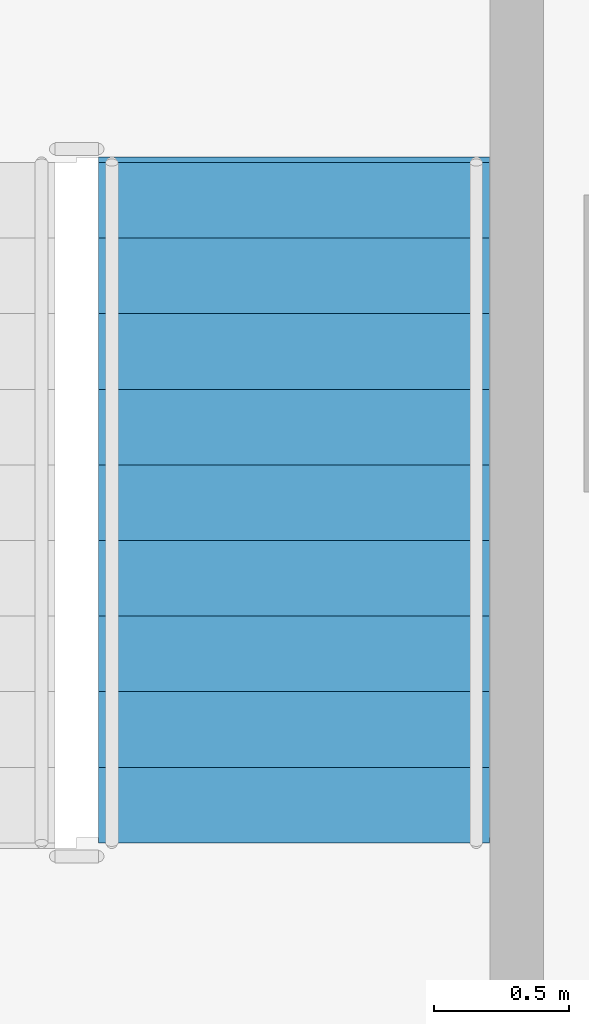
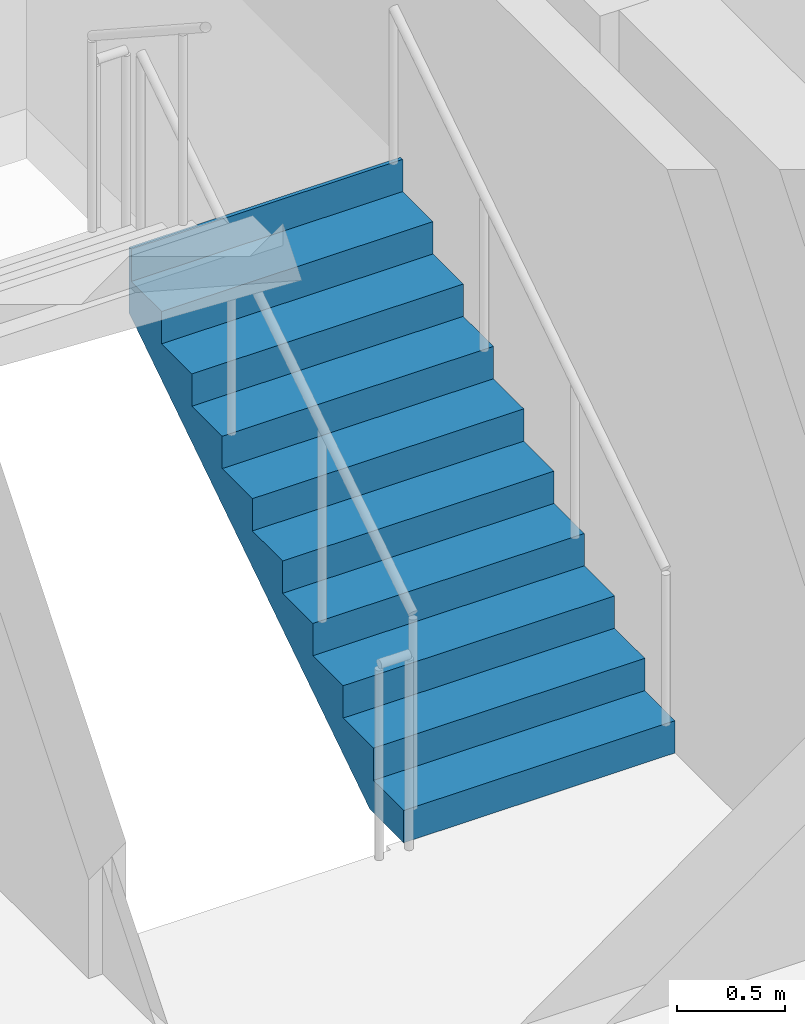
# One storey, part 10 of 14: 1 stair flight, 1 element without a shape of its own.
"""IFC4 building model written with IfcOpenShell, lengths in metres."""

from ifc_helpers import new_model, si_unit, direction, frame, origin, place, context, subcontext, project, spatial, polyline, outline, extrude, material, type_object, element, aggregate, save


model = new_model("IFC4")

# Units and contexts
model_context = context("Model", 3, precision=1e-05, world=origin(), true_north=direction((0.0, 1.0)))
body_context = subcontext(model_context, "Body", "Model", "MODEL_VIEW")
ifc_project = project(units=[si_unit("LENGTHUNIT", "METRE"), si_unit("AREAUNIT", "SQUARE_METRE"), si_unit("VOLUMEUNIT", "CUBIC_METRE"), si_unit("PLANEANGLEUNIT", "RADIAN"), si_unit("MASSUNIT", "GRAM", prefix="KILO")], contexts=[model_context])

# Site, building, storey
site_placement = place(None, origin())
site = spatial("IfcSite", under=ifc_project, at=site_placement, CompositionType="ELEMENT")
building_placement = place(site_placement, origin())
building = spatial("IfcBuilding", under=site, at=building_placement, Name="Nuvemarco Arch Tower", CompositionType="ELEMENT")
storey_placement = place(building_placement, frame((0.0, 0.0, 89.64990234375)))
storey = spatial("IfcBuildingStorey", under=building, at=storey_placement, Name="L23", CompositionType="ELEMENT", Elevation=89.64990234375)

# Stair, stair flight
ifc_material = material(Name="Precast concrete C45/55", Category="concrete")
stair_type = type_object("IfcStairType", Name="ST-CORE-20R", PredefinedType="HALF_TURN_STAIR", material=ifc_material)
stair_placement = place(storey_placement, origin())
stair = element("IfcStair", 1, at=stair_placement, inside=storey, type_object=stair_type, Name="L23 Protected Exit Stair ST-2", PredefinedType="HALF_TURN_STAIR")
stair_flight_type = type_object("IfcStairFlightType", Name="SF-CORE-20R", PredefinedType="STRAIGHT", material=ifc_material)
stair_flight_placement = place(storey_placement, frame((15.875, 2.64990234375, 0.0), z_axis=(0.0, 0.0, 1.0), x_axis=(0.0, 1.0, 0.0)))
stair_flight = element("IfcStairFlight", 2, at=stair_flight_placement, type_object=stair_flight_type, Name="ST-20R flight 1", NumberOfRisers=10, NumberOfTreads=9, PredefinedType="STRAIGHT", RiserHeight=0.1825, TreadLength=0.28, context=body_context, shape_type="SweptSolid", body=[
    extrude(outline(polyline([(0.0, 0.0), (0.0, 0.1826171875), (0.280029296875, 0.1826171875), (0.280029296875, 0.364990234375), (0.56005859375, 0.364990234375), (0.56005859375, 0.547607421875), (0.840087890625, 0.547607421875), (0.840087890625, 0.72998046875), (1.1201171875, 0.72998046875), (1.1201171875, 0.91259765625), (1.39990234375, 0.91259765625), (1.39990234375, 1.094970703125), (1.679931640625, 1.094970703125), (1.679931640625, 1.277587890625), (1.9599609375, 1.277587890625), (1.9599609375, 1.4599609375), (2.239990234375, 1.4599609375), (2.239990234375, 1.642578125), (2.52001953125, 1.642578125), (2.52001953125, 1.824951171875), (2.5400390625, 1.824951171875), (2.5400390625, 1.45166015625), (0.312744140625, 0.0), (0.0, 0.0)])), frame((0.0, 0.72509765625, 0.0), z_axis=(0.0, -1.0, 0.0), x_axis=(1.0, 0.0, 0.0)), (0.0, 0.0, 1.0), 1.449951171875),
])
aggregate(stair, [stair_flight])

save(model, "model.ifc")
